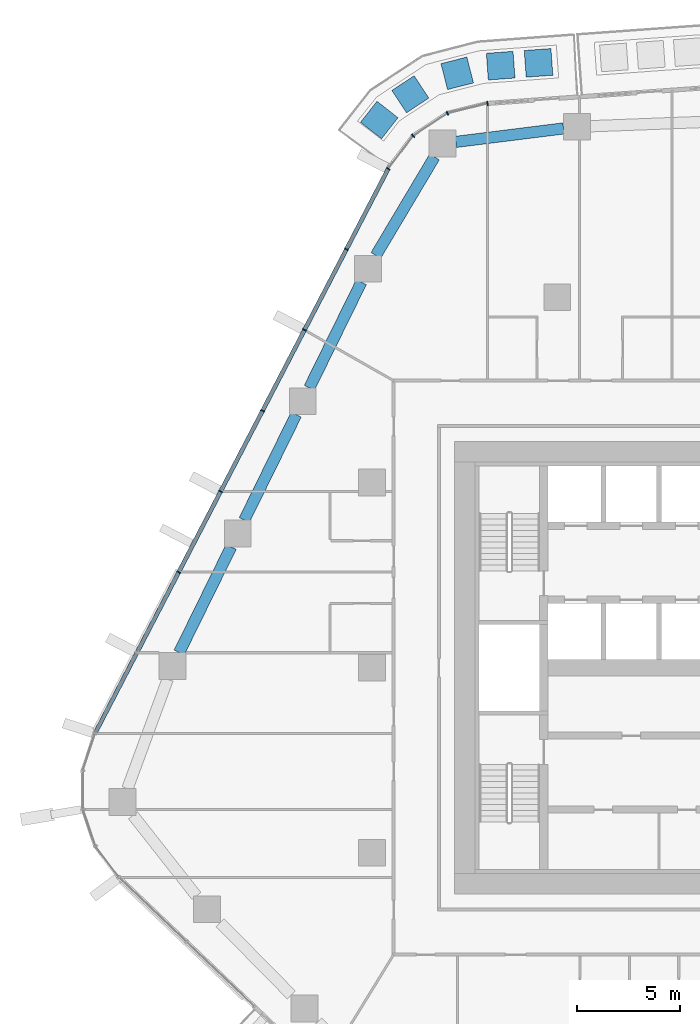
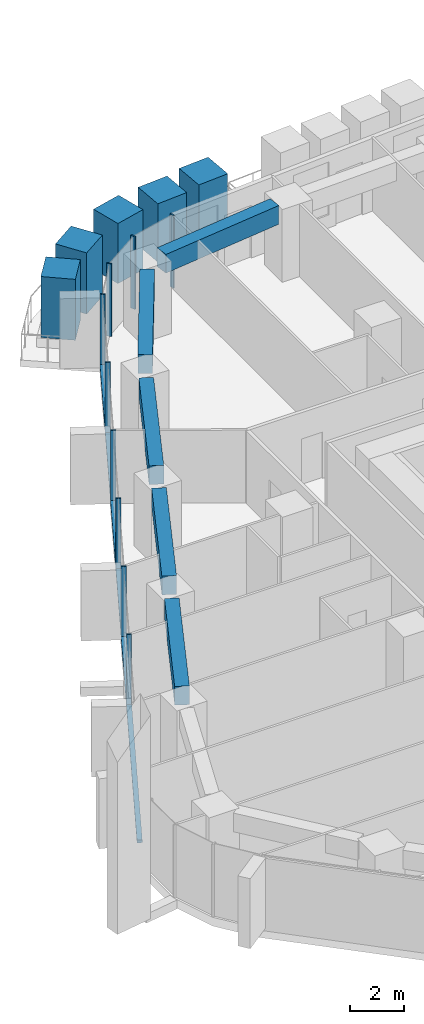
# One storey, part 6 of 24: 15 members, 5 beams, 2 elements without a shape of their own.
"""IFC4 building model written with IfcOpenShell, lengths in metres."""

from ifc_helpers import new_model, si_unit, direction, frame, origin, origin_2d, place, context, subcontext, project, spatial, rectangle, extrude, material, layer, layer_set, material_profile, profile_set, type_object, element, aggregate, save


model = new_model("IFC4")

# Units and contexts
model_context = context("Model", 3, precision=1e-05, world=origin(), true_north=direction((0.0, 1.0)))
body_context = subcontext(model_context, "Body", "Model", "MODEL_VIEW")
ifc_project = project(units=[si_unit("LENGTHUNIT", "METRE"), si_unit("AREAUNIT", "SQUARE_METRE"), si_unit("VOLUMEUNIT", "CUBIC_METRE"), si_unit("PLANEANGLEUNIT", "RADIAN"), si_unit("MASSUNIT", "GRAM", prefix="KILO")], contexts=[model_context])

# Site, building, storey
site_placement = place(None, origin())
site = spatial("IfcSite", under=ifc_project, at=site_placement, CompositionType="ELEMENT")
building_placement = place(site_placement, origin())
building = spatial("IfcBuilding", under=site, at=building_placement, Name="Dongbaek Canopy Tower", CompositionType="ELEMENT")
storey_placement = place(building_placement, frame((0.0, 0.0, 106.300048828125)))
storey = spatial("IfcBuildingStorey", under=building, at=storey_placement, Name="L22", CompositionType="ELEMENT", Elevation=106.300048828125)

# Curtain wall, members
ifc_material_1 = material(Name="Aluminium 6063-T6 pale anodised", Category="aluminium")
ifc_layer = layer(ifc_material_1, 0.199951171875)
ifc_layer_set = layer_set([ifc_layer], Name="CW-1 unitised tower curtain wall")
curtain_wall_type = type_object("IfcCurtainWallType", Name="CW-1 unitised tower curtain wall", PredefinedType="NOTDEFINED", material=ifc_layer_set)
curtain_wall_1_placement = place(storey_placement, origin())
curtain_wall_1 = element("IfcCurtainWall", 1, at=curtain_wall_1_placement, inside=storey, type_object=curtain_wall_type, Name="CW-1 curtain wall K2.1", PredefinedType="NOTDEFINED")
ifc_material_2 = material(Name="Aluminium 6063-T6 pale anodised", Category="aluminium")
ifc_material_profile_1 = material_profile(ifc_material_2, rectangle(XDim=0.199951171875, YDim=0.06005859375, at=origin_2d()), Name="CW-1 mullion 60 x 200")
ifc_profile_set_1 = profile_set([ifc_material_profile_1], Name="Aluminium 6063-T6 pale anodised")
member_type_1 = type_object("IfcMemberType", Name="CW-1 mullion 60 x 200", PredefinedType="MULLION", material=ifc_profile_set_1)
member_1_placement = place(storey_placement, frame((-12.38671875, 27.42138671875, 0.0), z_axis=(0.0, 0.0, 1.0), x_axis=(-0.239455911379, 0.970907238878, 0.0)))
member_1 = element("IfcMember", 2, at=member_1_placement, type_object=member_type_1, Name="CW-1 mullion K2.1.1", PredefinedType="MULLION", context=body_context, shape_type="SweptSolid", body=[
    extrude(rectangle(XDim=0.199951171875, YDim=0.06005859375, at=origin_2d()), origin(), (0.0, 0.0, 1.0), 3.300048828125),
])
member_2_placement = place(storey_placement, frame((-14.3330078125, 26.94140625, 0.0), z_axis=(0.0, 0.0, 1.0), x_axis=(-0.400265324949, 0.916399295964, 0.0)))
member_2 = element("IfcMember", 3, at=member_2_placement, type_object=member_type_1, Name="CW-1 mullion K2.1.2", PredefinedType="MULLION", context=body_context, shape_type="SweptSolid", body=[
    extrude(rectangle(XDim=0.199951171875, YDim=0.06005859375, at=origin_2d()), origin(), (0.0, 0.0, 1.0), 3.300048828125),
])
member_3_placement = place(storey_placement, frame((-16.00048828125, 25.8447265625, 0.0), z_axis=(0.0, 0.0, 1.0), x_axis=(-0.68296070832, 0.730455112167, 0.0)))
member_3 = element("IfcMember", 4, at=member_3_placement, type_object=member_type_1, Name="CW-1 mullion K2.1.3", PredefinedType="MULLION", context=body_context, shape_type="SweptSolid", body=[
    extrude(rectangle(XDim=0.199951171875, YDim=0.06005859375, at=origin_2d()), origin(), (0.0, 0.0, 1.0), 3.300048828125),
])
member_4_placement = place(storey_placement, frame((-17.2119140625, 24.24755859375, 0.0), z_axis=(0.0, 0.0, 1.0), x_axis=(-0.796696348772, 0.60437978776, 0.0)))
member_4 = element("IfcMember", 5, at=member_4_placement, type_object=member_type_1, Name="CW-1 mullion K2.1.4", PredefinedType="MULLION", context=body_context, shape_type="SweptSolid", body=[
    extrude(rectangle(XDim=0.199951171875, YDim=0.06005859375, at=origin_2d()), origin(), (0.0, 0.0, 1.0), 3.300048828125),
])
aggregate(curtain_wall_1, [member_1, member_2, member_3, member_4])

curtain_wall_2_placement = place(storey_placement, origin())
curtain_wall_2 = element("IfcCurtainWall", 6, at=curtain_wall_2_placement, inside=storey, type_object=curtain_wall_type, Name="CW-1 curtain wall F2.1", PredefinedType="NOTDEFINED")
member_5_placement = place(storey_placement, frame((-19.244873046875, 20.333251953125, 0.119873046875), z_axis=(0.0, 0.0, 1.0), x_axis=(-0.887462609411, 0.460879720641, 0.0)))
member_5 = element("IfcMember", 7, at=member_5_placement, type_object=member_type_1, Name="CW-1 mullion F2.1.2", PredefinedType="MULLION", context=body_context, shape_type="SweptSolid", body=[
    extrude(rectangle(XDim=0.199951171875, YDim=0.06005859375, at=origin_2d()), origin(), (0.0, 0.0, 1.0), 3.18017578125),
])
member_6_placement = place(storey_placement, frame((-21.281494140625, 16.411376953125, 0.119873046875), z_axis=(0.0, 0.0, 1.0), x_axis=(-0.887462609411, 0.460879720641, 0.0)))
member_6 = element("IfcMember", 8, at=member_6_placement, type_object=member_type_1, Name="CW-1 mullion F2.1.3", PredefinedType="MULLION", context=body_context, shape_type="SweptSolid", body=[
    extrude(rectangle(XDim=0.199951171875, YDim=0.06005859375, at=origin_2d()), origin(), (0.0, 0.0, 1.0), 3.18017578125),
])
member_7_placement = place(storey_placement, frame((-23.318115234375, 12.489501953125, 0.119873046875), z_axis=(0.0, 0.0, 1.0), x_axis=(-0.887462609411, 0.460879720641, 0.0)))
member_7 = element("IfcMember", 9, at=member_7_placement, type_object=member_type_1, Name="CW-1 mullion F2.1.4", PredefinedType="MULLION", context=body_context, shape_type="SweptSolid", body=[
    extrude(rectangle(XDim=0.199951171875, YDim=0.06005859375, at=origin_2d()), origin(), (0.0, 0.0, 1.0), 3.18017578125),
])
member_8_placement = place(storey_placement, frame((-25.35498046875, 8.567626953125, 0.119873046875), z_axis=(0.0, 0.0, 1.0), x_axis=(-0.887462609411, 0.460879720641, 0.0)))
member_8 = element("IfcMember", 10, at=member_8_placement, type_object=member_type_1, Name="CW-1 mullion F2.1.5", PredefinedType="MULLION", context=body_context, shape_type="SweptSolid", body=[
    extrude(rectangle(XDim=0.199951171875, YDim=0.06005859375, at=origin_2d()), origin(), (0.0, 0.0, 1.0), 3.18017578125),
])
member_9_placement = place(storey_placement, frame((-27.3916015625, 4.645751953125, 0.119873046875), z_axis=(0.0, 0.0, 1.0), x_axis=(-0.887462609411, 0.460879720641, 0.0)))
member_9 = element("IfcMember", 11, at=member_9_placement, type_object=member_type_1, Name="CW-1 mullion F2.1.6", PredefinedType="MULLION", context=body_context, shape_type="SweptSolid", body=[
    extrude(rectangle(XDim=0.199951171875, YDim=0.06005859375, at=origin_2d()), origin(), (0.0, 0.0, 1.0), 3.18017578125),
])
ifc_material_3 = material(Name="Aluminium 6063-T6 pale anodised", Category="aluminium")
ifc_material_profile_2 = material_profile(ifc_material_3, rectangle(XDim=0.199951171875, YDim=0.1201171875, at=origin_2d()), Name="CW-1 transom 120 x 200")
ifc_profile_set_2 = profile_set([ifc_material_profile_2], Name="Aluminium 6063-T6 pale anodised")
member_type_2 = type_object("IfcMemberType", Name="CW-1 transom 120 x 200", PredefinedType="USERDEFINED", material=ifc_profile_set_2)
member_10_placement = place(storey_placement, frame((-17.2119140625, 24.24755859375, 0.06005859375), z_axis=(-0.460881771235, -0.887461544487, 0.0), x_axis=(0.887461544487, -0.460881771235, 0.0)))
member_10 = element("IfcMember", 12, at=member_10_placement, type_object=member_type_2, Name="CW-1 transom F2.1.1", ObjectType="TRANSOM", PredefinedType="USERDEFINED", context=body_context, shape_type="SweptSolid", body=[
    extrude(rectangle(XDim=0.199951171875, YDim=0.1201171875, at=origin_2d()), origin(), (0.0, 0.0, 1.0), 30.91796875),
])
aggregate(curtain_wall_2, [member_5, member_6, member_7, member_8, member_9, member_10])

# Beams
ifc_material_4 = material(Name="Concrete C80", Category="concrete")
ifc_material_profile_3 = material_profile(ifc_material_4, rectangle(XDim=0.550048828125, YDim=0.85009765625, at=origin_2d()), Name="RC EDGE BEAM 550x850 C80")
ifc_profile_set_3 = profile_set([ifc_material_profile_3], Name="Concrete C80")
beam_type = type_object("IfcBeamType", Name="RC EDGE BEAM 550x850 C80", PredefinedType="BEAM", material=ifc_profile_set_3)
beam_1_placement = place(storey_placement, frame((-27.373291015625, 0.73291015625, 2.875), z_axis=(0.441213203353, 0.89740231178, 0.0), x_axis=(-0.89740231178, 0.441213203353, 0.0)))
element("IfcBeam", 13, at=beam_1_placement, inside=storey, type_object=beam_type, Name="EDGEBEAM:L22:09", PredefinedType="BEAM", context=body_context, shape_type="SweptSolid", body=[
    extrude(rectangle(XDim=0.550048828125, YDim=0.85009765625, at=origin_2d()), origin(), (0.0, 0.0, 1.0), 5.72216796875),
])
beam_2_placement = place(storey_placement, frame((-24.209228515625, 7.16796875, 2.875), z_axis=(0.441418224378, 0.897301482885, 0.0), x_axis=(-0.897301482885, 0.441418224378, 0.0)))
element("IfcBeam", 14, at=beam_2_placement, inside=storey, type_object=beam_type, Name="EDGEBEAM:L22:10", PredefinedType="BEAM", context=body_context, shape_type="SweptSolid", body=[
    extrude(rectangle(XDim=0.550048828125, YDim=0.85009765625, at=origin_2d()), origin(), (0.0, 0.0, 1.0), 5.7216796875),
])
beam_3_placement = place(storey_placement, frame((-21.044189453125, 13.60205078125, 2.875), z_axis=(0.441383867887, 0.89731838339, 0.0), x_axis=(-0.89731838339, 0.441383867887, 0.0)))
element("IfcBeam", 15, at=beam_3_placement, inside=storey, type_object=beam_type, Name="EDGEBEAM:L22:11", PredefinedType="BEAM", context=body_context, shape_type="SweptSolid", body=[
    extrude(rectangle(XDim=0.550048828125, YDim=0.85009765625, at=origin_2d()), origin(), (0.0, 0.0, 1.0), 5.721435546875),
])
beam_4_placement = place(storey_placement, frame((-17.81201171875, 20.035888671875, 2.875), z_axis=(0.511514682827, 0.859274536602, 0.0), x_axis=(-0.859274536602, 0.511514682827, 0.0)))
element("IfcBeam", 16, at=beam_4_placement, inside=storey, type_object=beam_type, Name="EDGEBEAM:L22:12", PredefinedType="BEAM", context=body_context, shape_type="SweptSolid", body=[
    extrude(rectangle(XDim=0.550048828125, YDim=0.85009765625, at=origin_2d()), origin(), (0.0, 0.0, 1.0), 5.570068359375),
])
beam_5_placement = place(storey_placement, frame((-13.926025390625, 25.55322265625, 2.875), z_axis=(0.992297087152, 0.123880954265, 0.0), x_axis=(-0.123880954265, 0.992297087152, 0.0)))
element("IfcBeam", 17, at=beam_5_placement, inside=storey, type_object=beam_type, Name="EDGEBEAM:L22:13", PredefinedType="BEAM", context=body_context, shape_type="SweptSolid", body=[
    extrude(rectangle(XDim=0.550048828125, YDim=0.85009765625, at=origin_2d()), origin(), (0.0, 0.0, 1.0), 5.275634765625),
])

# Members
ifc_material_5 = material(Name="Concrete C40/50 planter mass with planting", Category="concrete")
ifc_material_profile_4 = material_profile(ifc_material_5, rectangle(XDim=1.300048828125, YDim=1.300048828125, at=origin_2d()), Name="Terrace PLANTER shrub mass 1300 x 1300")
ifc_profile_set_4 = profile_set([ifc_material_profile_4], Name="Concrete C40/50 planter mass with planting")
member_type_3 = type_object("IfcMemberType", Name="Terrace PLANTER shrub mass 1300 x 1300", PredefinedType="USERDEFINED", material=ifc_profile_set_4)
member_11_placement = place(storey_placement, frame((-9.905517578125, 29.39306640625, 0.419921875), z_axis=(0.0, 0.0, 1.0), x_axis=(-0.073391445564, 0.997303211525, 0.0)))
element("IfcMember", 18, at=member_11_placement, inside=storey, type_object=member_type_3, Name="Planter shrubs L22 7.1", ObjectType="PLANTER", PredefinedType="USERDEFINED", context=body_context, shape_type="SweptSolid", body=[
    extrude(rectangle(XDim=1.300048828125, YDim=1.300048828125, at=origin_2d()), origin(), (0.0, 0.0, 1.0), 2.780029296875),
])
member_12_placement = place(storey_placement, frame((-11.74609375, 29.257568359375, 0.419921875), z_axis=(0.0, 0.0, 1.0), x_axis=(-0.073391445564, 0.997303211525, 0.0)))
element("IfcMember", 19, at=member_12_placement, inside=storey, type_object=member_type_3, Name="Planter shrubs L22 7.2", ObjectType="PLANTER", PredefinedType="USERDEFINED", context=body_context, shape_type="SweptSolid", body=[
    extrude(rectangle(XDim=1.300048828125, YDim=1.300048828125, at=origin_2d()), origin(), (0.0, 0.0, 1.0), 2.650146484375),
])
member_13_placement = place(storey_placement, frame((-13.858154296875, 28.886474609375, 0.419921875), z_axis=(0.0, 0.0, 1.0), x_axis=(-0.246657305715, 0.969102767274, 0.0)))
element("IfcMember", 20, at=member_13_placement, inside=storey, type_object=member_type_3, Name="Planter shrubs L22 7.3", ObjectType="PLANTER", PredefinedType="USERDEFINED", context=body_context, shape_type="SweptSolid", body=[
    extrude(rectangle(XDim=1.300048828125, YDim=1.300048828125, at=origin_2d()), origin(), (0.0, 0.0, 1.0), 2.72998046875),
])
member_14_placement = place(storey_placement, frame((-16.136962890625, 27.8681640625, 0.419921875), z_axis=(0.0, 0.0, 1.0), x_axis=(-0.54953477566, 0.835470843501, 0.0)))
element("IfcMember", 21, at=member_14_placement, inside=storey, type_object=member_type_3, Name="Planter shrubs L22 7.4", ObjectType="PLANTER", PredefinedType="USERDEFINED", context=body_context, shape_type="SweptSolid", body=[
    extrude(rectangle(XDim=1.300048828125, YDim=1.300048828125, at=origin_2d()), origin(), (0.0, 0.0, 1.0), 2.780029296875),
])
member_15_placement = place(storey_placement, frame((-17.646484375, 26.616455078125, 0.419921875), z_axis=(0.0, 0.0, 1.0), x_axis=(-0.785793501252, 0.618488943628, 0.0)))
element("IfcMember", 22, at=member_15_placement, inside=storey, type_object=member_type_3, Name="Planter shrubs L22 7.5", ObjectType="PLANTER", PredefinedType="USERDEFINED", context=body_context, shape_type="SweptSolid", body=[
    extrude(rectangle(XDim=1.300048828125, YDim=1.300048828125, at=origin_2d()), origin(), (0.0, 0.0, 1.0), 2.77001953125),
])

save(model, "model.ifc")
